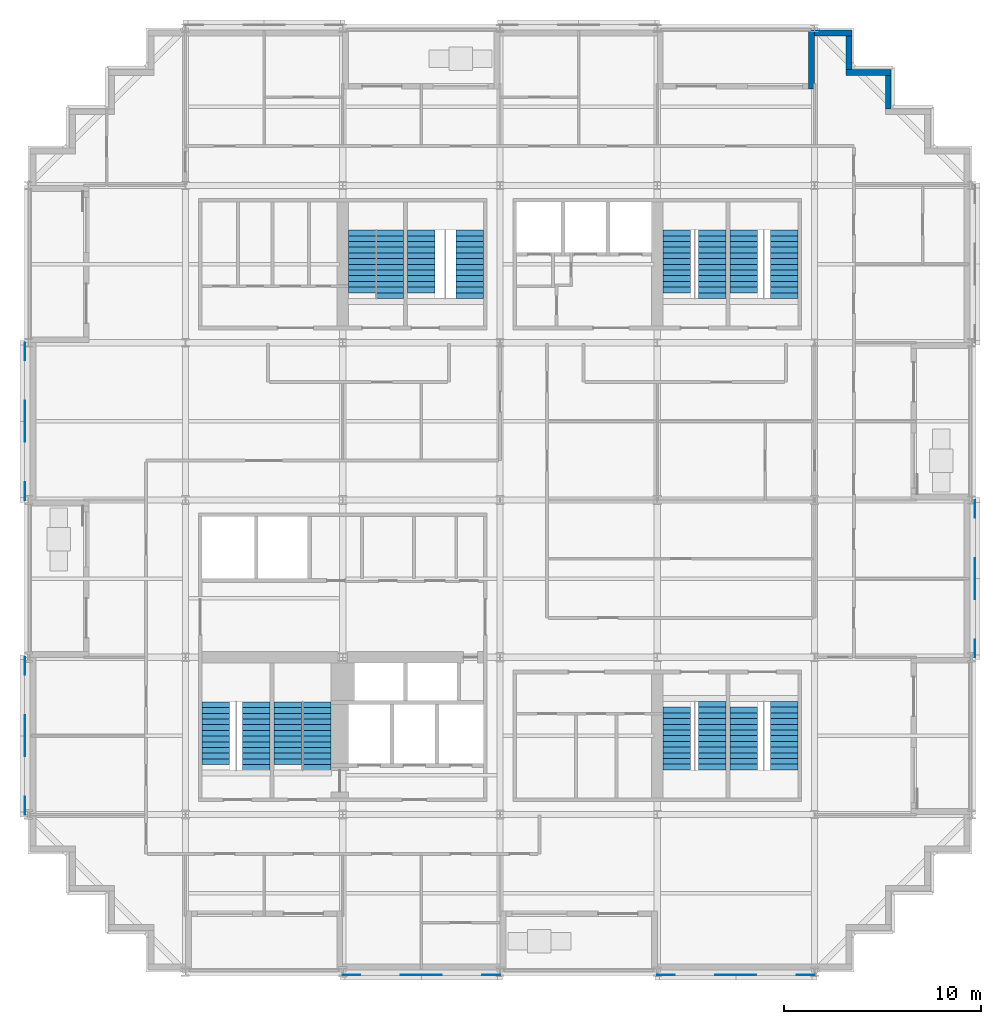
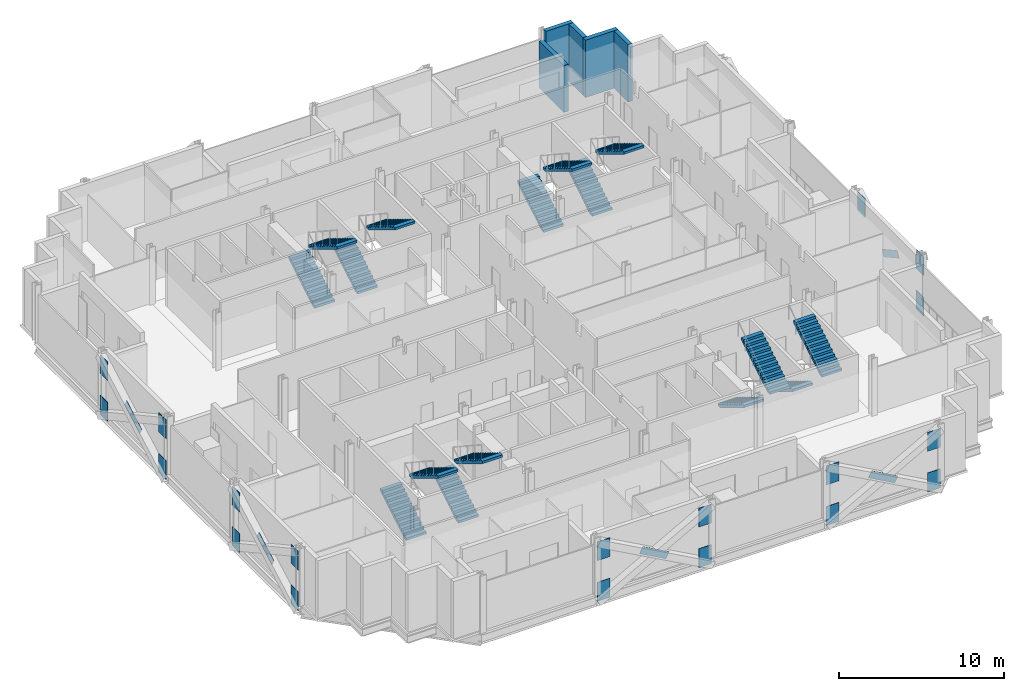
# One storey, part 11 of 15: 24 discrete accessories, 16 stair flights, 5 walls, 8 elements without a shape of their own.
"""IFC4 building model written with IfcOpenShell, lengths in metres."""

from ifc_helpers import new_model, si_unit, direction, frame, frame_2d, origin, origin_2d, place, context, subcontext, project, spatial, polyline, rectangle, outline, extrude, material, layer, layer_set, material_profile, profile_set, type_object, element, aggregate, save


model = new_model("IFC4")

# Units and contexts
model_context = context("Model", 3, precision=1e-05, world=origin(), true_north=direction((0.0, 1.0)))
body_context = subcontext(model_context, "Body", "Model", "MODEL_VIEW")
ifc_project = project(units=[si_unit("LENGTHUNIT", "METRE"), si_unit("AREAUNIT", "SQUARE_METRE"), si_unit("VOLUMEUNIT", "CUBIC_METRE"), si_unit("PLANEANGLEUNIT", "RADIAN"), si_unit("MASSUNIT", "GRAM", prefix="KILO")], contexts=[model_context])

# Site, building, storey
site_placement = place(None, origin())
site = spatial("IfcSite", under=ifc_project, at=site_placement, CompositionType="ELEMENT")
building_placement = place(site_placement, origin())
building = spatial("IfcBuilding", under=site, at=building_placement, Name="Immortelle Media Tower", CompositionType="ELEMENT")
storey_placement = place(building_placement, frame((0.0, 0.0, 61.199951171875)))
storey = spatial("IfcBuildingStorey", under=building, at=storey_placement, Name="L10", CompositionType="ELEMENT", Elevation=61.199951171875)

# Walls
ifc_material_1 = material(Name="Pale aluminium cladding panel", Category="aluminium")
ifc_layer_1 = layer(ifc_material_1, 0.030029296875)
ifc_material_2 = material(Name="Steel ASTM A653 SS Gr 50 stud frame with mineral wool", Category="steel")
ifc_layer_2 = layer(ifc_material_2, 0.257568359375)
ifc_material_3 = material(Name="Moisture-resistant gypsum board", Category="gypsum")
ifc_layer_3 = layer(ifc_material_3, 0.012451171875)
ifc_layer_set = layer_set([ifc_layer_1, ifc_layer_2, ifc_layer_3], Name="Steel ASTM A653 SS Gr 50 stud frame with mineral wool")
wall_type = type_object("IfcWallType", Name="Facade wall 300", PredefinedType="SOLIDWALL", material=ifc_layer_set)
wall_1_placement = place(storey_placement, frame((43.75, 43.89990234375, 0.0), z_axis=(0.0, 0.0, 1.0), x_axis=(0.0, 1.0, 0.0)))
element("IfcWall", 1, at=wall_1_placement, inside=storey, type_object=wall_type, Name="Facade wall L10 E18", PredefinedType="SOLIDWALL", context=body_context, shape_type="SweptSolid", body=[
    extrude(rectangle(XDim=1.7001953125, YDim=0.300048828125, at=frame_2d((0.85009765625, 0.0))), origin(), (0.0, 0.0, 1.0), 4.25),
])
wall_2_placement = place(storey_placement, frame((43.89990234375, 45.75, 0.0), z_axis=(0.0, 0.0, 1.0), x_axis=(-1.0, 0.0, 0.0)))
element("IfcWall", 2, at=wall_2_placement, inside=storey, type_object=wall_type, Name="Facade wall L10 N19", PredefinedType="SOLIDWALL", context=body_context, shape_type="SweptSolid", body=[
    extrude(rectangle(XDim=2.2998046875, YDim=0.300048828125, at=frame_2d((1.14990234375, 0.0))), origin(), (0.0, 0.0, 1.0), 4.25),
])
wall_3_placement = place(storey_placement, frame((41.75, 45.89990234375, 0.0), z_axis=(0.0, 0.0, 1.0), x_axis=(0.0, 1.0, 0.0)))
element("IfcWall", 3, at=wall_3_placement, inside=storey, type_object=wall_type, Name="Facade wall L10 E20", PredefinedType="SOLIDWALL", context=body_context, shape_type="SweptSolid", body=[
    extrude(rectangle(XDim=1.7001953125, YDim=0.300048828125, at=frame_2d((0.85009765625, 0.0))), origin(), (0.0, 0.0, 1.0), 4.25),
])
wall_4_placement = place(storey_placement, frame((41.89990234375, 47.75, 0.0), z_axis=(0.0, 0.0, 1.0), x_axis=(-1.0, 0.0, 0.0)))
element("IfcWall", 4, at=wall_4_placement, inside=storey, type_object=wall_type, Name="Facade wall L10 N21", PredefinedType="SOLIDWALL", context=body_context, shape_type="SweptSolid", body=[
    extrude(rectangle(XDim=1.89990234375, YDim=0.300048828125, at=frame_2d((0.949951171875, 0.0))), origin(), (0.0, 0.0, 1.0), 4.25),
])
wall_5_placement = place(storey_placement, frame((39.85009765625, 47.89990234375, 0.0), z_axis=(0.0, 0.0, 1.0), x_axis=(0.0, -1.0, 0.0)))
element("IfcWall", 5, at=wall_5_placement, inside=storey, type_object=wall_type, Name="Loggia cheek wall L10 N", PredefinedType="SOLIDWALL", context=body_context, shape_type="SweptSolid", body=[
    extrude(rectangle(XDim=3.0, YDim=0.300048828125, at=frame_2d((1.5, 0.0))), origin(), (0.0, 0.0, 1.0), 3.468994140625),
])

# Stair, stair flights
ifc_material_4 = material(Name="Steel ASTM A992 Gr 50", Category="steel")
stair_type = type_object("IfcStairType", Name="Stair with flights", PredefinedType="DOUBLE_RETURN_STAIR", material=ifc_material_4)
stair_1_placement = place(storey_placement, origin())
stair_1 = element("IfcStair", 6, at=stair_1_placement, inside=storey, type_object=stair_type, Name="Exit stair SW1", PredefinedType="DOUBLE_RETURN_STAIR")
stair_flight_type = type_object("IfcStairFlightType", Name="Stair flight 1400", PredefinedType="STRAIGHT", material=ifc_material_4)
stair_flight_1_placement = place(storey_placement, frame((9.550048828125, 10.5400390625, 0.0), z_axis=(0.0, 0.0, 1.0), x_axis=(0.0, 1.0, 0.0)))
stair_flight_1 = element("IfcStairFlight", 7, at=stair_flight_1_placement, type_object=stair_flight_type, Name="ST SW1 flight 1", NumberOfRisers=12, NumberOfTreads=11, PredefinedType="STRAIGHT", RiserHeight=0.176, TreadLength=0.29, context=body_context, shape_type="SweptSolid", body=[
    extrude(outline(polyline([(0.0, 0.0), (0.0, 0.176025390625), (0.2900390625, 0.176025390625), (0.2900390625, 0.35205078125), (0.580078125, 0.35205078125), (0.580078125, 0.528076171875), (0.8701171875, 0.528076171875), (0.8701171875, 0.7041015625), (1.159912109375, 0.7041015625), (1.159912109375, 0.8798828125), (1.449951171875, 0.8798828125), (1.449951171875, 1.055908203125), (1.739990234375, 1.055908203125), (1.739990234375, 1.23193359375), (2.030029296875, 1.23193359375), (2.030029296875, 1.407958984375), (2.320068359375, 1.407958984375), (2.320068359375, 1.583984375), (2.610107421875, 1.583984375), (2.610107421875, 1.760009765625), (2.89990234375, 1.760009765625), (2.89990234375, 1.93603515625), (3.18994140625, 1.93603515625), (3.18994140625, 2.112060546875), (3.18994140625, 1.7607421875), (0.288818359375, 0.0), (0.0, 0.0)])), frame((0.0, 0.699951171875, 0.0), z_axis=(0.0, -1.0, 0.0), x_axis=(1.0, 0.0, 0.0)), (0.0, 0.0, 1.0), 1.39990234375),
])
stair_flight_2_placement = place(storey_placement, frame((11.60009765625, 13.72998046875, 2.112060546875), z_axis=(0.0, 0.0, 1.0), x_axis=(0.0, -1.0, 0.0)))
stair_flight_2 = element("IfcStairFlight", 8, at=stair_flight_2_placement, type_object=stair_flight_type, Name="ST SW1 flight 2", NumberOfRisers=13, NumberOfTreads=12, PredefinedType="STRAIGHT", RiserHeight=0.176, TreadLength=0.29, context=body_context, shape_type="SweptSolid", body=[
    extrude(outline(polyline([(0.0, 0.0), (0.0, 0.176025390625), (0.2900390625, 0.176025390625), (0.2900390625, 0.35205078125), (0.580078125, 0.35205078125), (0.580078125, 0.528076171875), (0.8701171875, 0.528076171875), (0.8701171875, 0.7041015625), (1.159912109375, 0.7041015625), (1.159912109375, 0.8798828125), (1.449951171875, 0.8798828125), (1.449951171875, 1.055908203125), (1.739990234375, 1.055908203125), (1.739990234375, 1.23193359375), (2.030029296875, 1.23193359375), (2.030029296875, 1.407958984375), (2.320068359375, 1.407958984375), (2.320068359375, 1.583984375), (2.610107421875, 1.583984375), (2.610107421875, 1.760009765625), (2.89990234375, 1.760009765625), (2.89990234375, 1.93603515625), (3.18994140625, 1.93603515625), (3.18994140625, 2.112060546875), (3.47998046875, 2.112060546875), (3.47998046875, 2.2880859375), (3.47998046875, 1.936767578125), (0.288818359375, 0.0), (0.0, 0.0)])), frame((0.0, 0.699951171875, 0.0), z_axis=(0.0, -1.0, 0.0), x_axis=(1.0, 0.0, 0.0)), (0.0, 0.0, 1.0), 1.39990234375),
])
aggregate(stair_1, [stair_flight_1, stair_flight_2])

stair_2_placement = place(storey_placement, origin())
stair_2 = element("IfcStair", 9, at=stair_2_placement, inside=storey, type_object=stair_type, Name="Exit stair SW2", PredefinedType="DOUBLE_RETURN_STAIR")
stair_flight_3_placement = place(storey_placement, frame((13.199951171875, 10.5400390625, 0.0), z_axis=(0.0, 0.0, 1.0), x_axis=(0.0, 1.0, 0.0)))
stair_flight_3 = element("IfcStairFlight", 10, at=stair_flight_3_placement, type_object=stair_flight_type, Name="ST SW2 flight 1", NumberOfRisers=12, NumberOfTreads=11, PredefinedType="STRAIGHT", RiserHeight=0.176, TreadLength=0.29, context=body_context, shape_type="SweptSolid", body=[
    extrude(outline(polyline([(0.0, 0.0), (0.0, 0.176025390625), (0.2900390625, 0.176025390625), (0.2900390625, 0.35205078125), (0.580078125, 0.35205078125), (0.580078125, 0.528076171875), (0.8701171875, 0.528076171875), (0.8701171875, 0.7041015625), (1.159912109375, 0.7041015625), (1.159912109375, 0.8798828125), (1.449951171875, 0.8798828125), (1.449951171875, 1.055908203125), (1.739990234375, 1.055908203125), (1.739990234375, 1.23193359375), (2.030029296875, 1.23193359375), (2.030029296875, 1.407958984375), (2.320068359375, 1.407958984375), (2.320068359375, 1.583984375), (2.610107421875, 1.583984375), (2.610107421875, 1.760009765625), (2.89990234375, 1.760009765625), (2.89990234375, 1.93603515625), (3.18994140625, 1.93603515625), (3.18994140625, 2.112060546875), (3.18994140625, 1.7607421875), (0.288818359375, 0.0), (0.0, 0.0)])), frame((0.0, 0.699951171875, 0.0), z_axis=(0.0, -1.0, 0.0), x_axis=(1.0, 0.0, 0.0)), (0.0, 0.0, 1.0), 1.39990234375),
])
stair_flight_4_placement = place(storey_placement, frame((14.699951171875, 13.72998046875, 2.112060546875), z_axis=(0.0, 0.0, 1.0), x_axis=(0.0, -1.0, 0.0)))
stair_flight_4 = element("IfcStairFlight", 11, at=stair_flight_4_placement, type_object=stair_flight_type, Name="ST SW2 flight 2", NumberOfRisers=13, NumberOfTreads=12, PredefinedType="STRAIGHT", RiserHeight=0.176, TreadLength=0.29, context=body_context, shape_type="SweptSolid", body=[
    extrude(outline(polyline([(0.0, 0.0), (0.0, 0.176025390625), (0.2900390625, 0.176025390625), (0.2900390625, 0.35205078125), (0.580078125, 0.35205078125), (0.580078125, 0.528076171875), (0.8701171875, 0.528076171875), (0.8701171875, 0.7041015625), (1.159912109375, 0.7041015625), (1.159912109375, 0.8798828125), (1.449951171875, 0.8798828125), (1.449951171875, 1.055908203125), (1.739990234375, 1.055908203125), (1.739990234375, 1.23193359375), (2.030029296875, 1.23193359375), (2.030029296875, 1.407958984375), (2.320068359375, 1.407958984375), (2.320068359375, 1.583984375), (2.610107421875, 1.583984375), (2.610107421875, 1.760009765625), (2.89990234375, 1.760009765625), (2.89990234375, 1.93603515625), (3.18994140625, 1.93603515625), (3.18994140625, 2.112060546875), (3.47998046875, 2.112060546875), (3.47998046875, 2.2880859375), (3.47998046875, 1.936767578125), (0.288818359375, 0.0), (0.0, 0.0)])), frame((0.0, 0.699951171875, 0.0), z_axis=(0.0, -1.0, 0.0), x_axis=(1.0, 0.0, 0.0)), (0.0, 0.0, 1.0), 1.39990234375),
])
aggregate(stair_2, [stair_flight_3, stair_flight_4])

stair_3_placement = place(storey_placement, origin())
stair_3 = element("IfcStair", 12, at=stair_3_placement, inside=storey, type_object=stair_type, Name="Exit stair SE1", PredefinedType="DOUBLE_RETURN_STAIR")
stair_flight_5_placement = place(storey_placement, frame((33.0, 13.4599609375, 0.0), z_axis=(0.0, 0.0, 1.0), x_axis=(0.0, -1.0, 0.0)))
stair_flight_5 = element("IfcStairFlight", 13, at=stair_flight_5_placement, type_object=stair_flight_type, Name="ST SE1 flight 1", NumberOfRisers=12, NumberOfTreads=11, PredefinedType="STRAIGHT", RiserHeight=0.176, TreadLength=0.29, context=body_context, shape_type="SweptSolid", body=[
    extrude(outline(polyline([(0.0, 0.0), (0.0, 0.176025390625), (0.2900390625, 0.176025390625), (0.2900390625, 0.35205078125), (0.580078125, 0.35205078125), (0.580078125, 0.528076171875), (0.8701171875, 0.528076171875), (0.8701171875, 0.7041015625), (1.159912109375, 0.7041015625), (1.159912109375, 0.8798828125), (1.449951171875, 0.8798828125), (1.449951171875, 1.055908203125), (1.739990234375, 1.055908203125), (1.739990234375, 1.23193359375), (2.030029296875, 1.23193359375), (2.030029296875, 1.407958984375), (2.320068359375, 1.407958984375), (2.320068359375, 1.583984375), (2.610107421875, 1.583984375), (2.610107421875, 1.760009765625), (2.89990234375, 1.760009765625), (2.89990234375, 1.93603515625), (3.18994140625, 1.93603515625), (3.18994140625, 2.112060546875), (3.18994140625, 1.7607421875), (0.288818359375, 0.0), (0.0, 0.0)])), frame((0.0, 0.699951171875, 0.0), z_axis=(0.0, -1.0, 0.0), x_axis=(1.0, 0.0, 0.0)), (0.0, 0.0, 1.0), 1.39990234375),
])
stair_flight_6_placement = place(storey_placement, frame((34.800048828125, 10.27001953125, 2.112060546875), z_axis=(0.0, 0.0, 1.0), x_axis=(0.0, 1.0, 0.0)))
stair_flight_6 = element("IfcStairFlight", 14, at=stair_flight_6_placement, type_object=stair_flight_type, Name="ST SE1 flight 2", NumberOfRisers=13, NumberOfTreads=12, PredefinedType="STRAIGHT", RiserHeight=0.176, TreadLength=0.29, context=body_context, shape_type="SweptSolid", body=[
    extrude(outline(polyline([(0.0, 0.0), (0.0, 0.176025390625), (0.2900390625, 0.176025390625), (0.2900390625, 0.35205078125), (0.580078125, 0.35205078125), (0.580078125, 0.528076171875), (0.8701171875, 0.528076171875), (0.8701171875, 0.7041015625), (1.159912109375, 0.7041015625), (1.159912109375, 0.8798828125), (1.449951171875, 0.8798828125), (1.449951171875, 1.055908203125), (1.739990234375, 1.055908203125), (1.739990234375, 1.23193359375), (2.030029296875, 1.23193359375), (2.030029296875, 1.407958984375), (2.320068359375, 1.407958984375), (2.320068359375, 1.583984375), (2.610107421875, 1.583984375), (2.610107421875, 1.760009765625), (2.89990234375, 1.760009765625), (2.89990234375, 1.93603515625), (3.18994140625, 1.93603515625), (3.18994140625, 2.112060546875), (3.47998046875, 2.112060546875), (3.47998046875, 2.2880859375), (3.47998046875, 1.936767578125), (0.288818359375, 0.0), (0.0, 0.0)])), frame((0.0, 0.699951171875, 0.0), z_axis=(0.0, -1.0, 0.0), x_axis=(1.0, 0.0, 0.0)), (0.0, 0.0, 1.0), 1.39990234375),
])
aggregate(stair_3, [stair_flight_5, stair_flight_6])

stair_4_placement = place(storey_placement, origin())
stair_4 = element("IfcStair", 15, at=stair_4_placement, inside=storey, type_object=stair_type, Name="Exit stair SE2", PredefinedType="DOUBLE_RETURN_STAIR")
stair_flight_7_placement = place(storey_placement, frame((36.39990234375, 13.4599609375, 0.0), z_axis=(0.0, 0.0, 1.0), x_axis=(0.0, -1.0, 0.0)))
stair_flight_7 = element("IfcStairFlight", 16, at=stair_flight_7_placement, type_object=stair_flight_type, Name="ST SE2 flight 1", NumberOfRisers=12, NumberOfTreads=11, PredefinedType="STRAIGHT", RiserHeight=0.176, TreadLength=0.29, context=body_context, shape_type="SweptSolid", body=[
    extrude(outline(polyline([(0.0, 0.0), (0.0, 0.176025390625), (0.2900390625, 0.176025390625), (0.2900390625, 0.35205078125), (0.580078125, 0.35205078125), (0.580078125, 0.528076171875), (0.8701171875, 0.528076171875), (0.8701171875, 0.7041015625), (1.159912109375, 0.7041015625), (1.159912109375, 0.8798828125), (1.449951171875, 0.8798828125), (1.449951171875, 1.055908203125), (1.739990234375, 1.055908203125), (1.739990234375, 1.23193359375), (2.030029296875, 1.23193359375), (2.030029296875, 1.407958984375), (2.320068359375, 1.407958984375), (2.320068359375, 1.583984375), (2.610107421875, 1.583984375), (2.610107421875, 1.760009765625), (2.89990234375, 1.760009765625), (2.89990234375, 1.93603515625), (3.18994140625, 1.93603515625), (3.18994140625, 2.112060546875), (3.18994140625, 1.7607421875), (0.288818359375, 0.0), (0.0, 0.0)])), frame((0.0, 0.699951171875, 0.0), z_axis=(0.0, -1.0, 0.0), x_axis=(1.0, 0.0, 0.0)), (0.0, 0.0, 1.0), 1.39990234375),
])
stair_flight_8_placement = place(storey_placement, frame((38.449951171875, 10.27001953125, 2.112060546875), z_axis=(0.0, 0.0, 1.0), x_axis=(0.0, 1.0, 0.0)))
stair_flight_8 = element("IfcStairFlight", 17, at=stair_flight_8_placement, type_object=stair_flight_type, Name="ST SE2 flight 2", NumberOfRisers=13, NumberOfTreads=12, PredefinedType="STRAIGHT", RiserHeight=0.176, TreadLength=0.29, context=body_context, shape_type="SweptSolid", body=[
    extrude(outline(polyline([(0.0, 0.0), (0.0, 0.176025390625), (0.2900390625, 0.176025390625), (0.2900390625, 0.35205078125), (0.580078125, 0.35205078125), (0.580078125, 0.528076171875), (0.8701171875, 0.528076171875), (0.8701171875, 0.7041015625), (1.159912109375, 0.7041015625), (1.159912109375, 0.8798828125), (1.449951171875, 0.8798828125), (1.449951171875, 1.055908203125), (1.739990234375, 1.055908203125), (1.739990234375, 1.23193359375), (2.030029296875, 1.23193359375), (2.030029296875, 1.407958984375), (2.320068359375, 1.407958984375), (2.320068359375, 1.583984375), (2.610107421875, 1.583984375), (2.610107421875, 1.760009765625), (2.89990234375, 1.760009765625), (2.89990234375, 1.93603515625), (3.18994140625, 1.93603515625), (3.18994140625, 2.112060546875), (3.47998046875, 2.112060546875), (3.47998046875, 2.2880859375), (3.47998046875, 1.936767578125), (0.288818359375, 0.0), (0.0, 0.0)])), frame((0.0, 0.699951171875, 0.0), z_axis=(0.0, -1.0, 0.0), x_axis=(1.0, 0.0, 0.0)), (0.0, 0.0, 1.0), 1.39990234375),
])
aggregate(stair_4, [stair_flight_7, stair_flight_8])

stair_5_placement = place(storey_placement, origin())
stair_5 = element("IfcStair", 18, at=stair_5_placement, inside=storey, type_object=stair_type, Name="Exit stair NW1", PredefinedType="DOUBLE_RETURN_STAIR")
stair_flight_9_placement = place(storey_placement, frame((17.0, 34.5400390625, 0.0), z_axis=(0.0, 0.0, 1.0), x_axis=(0.0, 1.0, 0.0)))
stair_flight_9 = element("IfcStairFlight", 19, at=stair_flight_9_placement, type_object=stair_flight_type, Name="ST NW1 flight 1", NumberOfRisers=12, NumberOfTreads=11, PredefinedType="STRAIGHT", RiserHeight=0.176, TreadLength=0.29, context=body_context, shape_type="SweptSolid", body=[
    extrude(outline(polyline([(0.0, 0.0), (0.0, 0.176025390625), (0.2900390625, 0.176025390625), (0.2900390625, 0.35205078125), (0.580078125, 0.35205078125), (0.580078125, 0.528076171875), (0.8701171875, 0.528076171875), (0.8701171875, 0.7041015625), (1.159912109375, 0.7041015625), (1.159912109375, 0.8798828125), (1.449951171875, 0.8798828125), (1.449951171875, 1.055908203125), (1.739990234375, 1.055908203125), (1.739990234375, 1.23193359375), (2.030029296875, 1.23193359375), (2.030029296875, 1.407958984375), (2.320068359375, 1.407958984375), (2.320068359375, 1.583984375), (2.610107421875, 1.583984375), (2.610107421875, 1.760009765625), (2.89990234375, 1.760009765625), (2.89990234375, 1.93603515625), (3.18994140625, 1.93603515625), (3.18994140625, 2.112060546875), (3.18994140625, 1.7607421875), (0.288818359375, 0.0), (0.0, 0.0)])), frame((0.0, 0.699951171875, 0.0), z_axis=(0.0, -1.0, 0.0), x_axis=(1.0, 0.0, 0.0)), (0.0, 0.0, 1.0), 1.39990234375),
])
stair_flight_10_placement = place(storey_placement, frame((18.39990234375, 37.72998046875, 2.112060546875), z_axis=(0.0, 0.0, 1.0), x_axis=(0.0, -1.0, 0.0)))
stair_flight_10 = element("IfcStairFlight", 20, at=stair_flight_10_placement, type_object=stair_flight_type, Name="ST NW1 flight 2", NumberOfRisers=13, NumberOfTreads=12, PredefinedType="STRAIGHT", RiserHeight=0.176, TreadLength=0.29, context=body_context, shape_type="SweptSolid", body=[
    extrude(outline(polyline([(0.0, 0.0), (0.0, 0.176025390625), (0.2900390625, 0.176025390625), (0.2900390625, 0.35205078125), (0.580078125, 0.35205078125), (0.580078125, 0.528076171875), (0.8701171875, 0.528076171875), (0.8701171875, 0.7041015625), (1.159912109375, 0.7041015625), (1.159912109375, 0.8798828125), (1.449951171875, 0.8798828125), (1.449951171875, 1.055908203125), (1.739990234375, 1.055908203125), (1.739990234375, 1.23193359375), (2.030029296875, 1.23193359375), (2.030029296875, 1.407958984375), (2.320068359375, 1.407958984375), (2.320068359375, 1.583984375), (2.610107421875, 1.583984375), (2.610107421875, 1.760009765625), (2.89990234375, 1.760009765625), (2.89990234375, 1.93603515625), (3.18994140625, 1.93603515625), (3.18994140625, 2.112060546875), (3.47998046875, 2.112060546875), (3.47998046875, 2.2880859375), (3.47998046875, 1.936767578125), (0.288818359375, 0.0), (0.0, 0.0)])), frame((0.0, 0.699951171875, 0.0), z_axis=(0.0, -1.0, 0.0), x_axis=(1.0, 0.0, 0.0)), (0.0, 0.0, 1.0), 1.39990234375),
])
aggregate(stair_5, [stair_flight_9, stair_flight_10])

stair_6_placement = place(storey_placement, origin())
stair_6 = element("IfcStair", 21, at=stair_6_placement, inside=storey, type_object=stair_type, Name="Exit stair NW2", PredefinedType="DOUBLE_RETURN_STAIR")
stair_flight_11_placement = place(storey_placement, frame((20.0, 34.5400390625, 0.0), z_axis=(0.0, 0.0, 1.0), x_axis=(0.0, 1.0, 0.0)))
stair_flight_11 = element("IfcStairFlight", 22, at=stair_flight_11_placement, type_object=stair_flight_type, Name="ST NW2 flight 1", NumberOfRisers=12, NumberOfTreads=11, PredefinedType="STRAIGHT", RiserHeight=0.176, TreadLength=0.29, context=body_context, shape_type="SweptSolid", body=[
    extrude(outline(polyline([(0.0, 0.0), (0.0, 0.176025390625), (0.2900390625, 0.176025390625), (0.2900390625, 0.35205078125), (0.580078125, 0.35205078125), (0.580078125, 0.528076171875), (0.8701171875, 0.528076171875), (0.8701171875, 0.7041015625), (1.159912109375, 0.7041015625), (1.159912109375, 0.8798828125), (1.449951171875, 0.8798828125), (1.449951171875, 1.055908203125), (1.739990234375, 1.055908203125), (1.739990234375, 1.23193359375), (2.030029296875, 1.23193359375), (2.030029296875, 1.407958984375), (2.320068359375, 1.407958984375), (2.320068359375, 1.583984375), (2.610107421875, 1.583984375), (2.610107421875, 1.760009765625), (2.89990234375, 1.760009765625), (2.89990234375, 1.93603515625), (3.18994140625, 1.93603515625), (3.18994140625, 2.112060546875), (3.18994140625, 1.7607421875), (0.288818359375, 0.0), (0.0, 0.0)])), frame((0.0, 0.699951171875, 0.0), z_axis=(0.0, -1.0, 0.0), x_axis=(1.0, 0.0, 0.0)), (0.0, 0.0, 1.0), 1.39990234375),
])
stair_flight_12_placement = place(storey_placement, frame((22.449951171875, 37.72998046875, 2.112060546875), z_axis=(0.0, 0.0, 1.0), x_axis=(0.0, -1.0, 0.0)))
stair_flight_12 = element("IfcStairFlight", 23, at=stair_flight_12_placement, type_object=stair_flight_type, Name="ST NW2 flight 2", NumberOfRisers=13, NumberOfTreads=12, PredefinedType="STRAIGHT", RiserHeight=0.176, TreadLength=0.29, context=body_context, shape_type="SweptSolid", body=[
    extrude(outline(polyline([(0.0, 0.0), (0.0, 0.176025390625), (0.2900390625, 0.176025390625), (0.2900390625, 0.35205078125), (0.580078125, 0.35205078125), (0.580078125, 0.528076171875), (0.8701171875, 0.528076171875), (0.8701171875, 0.7041015625), (1.159912109375, 0.7041015625), (1.159912109375, 0.8798828125), (1.449951171875, 0.8798828125), (1.449951171875, 1.055908203125), (1.739990234375, 1.055908203125), (1.739990234375, 1.23193359375), (2.030029296875, 1.23193359375), (2.030029296875, 1.407958984375), (2.320068359375, 1.407958984375), (2.320068359375, 1.583984375), (2.610107421875, 1.583984375), (2.610107421875, 1.760009765625), (2.89990234375, 1.760009765625), (2.89990234375, 1.93603515625), (3.18994140625, 1.93603515625), (3.18994140625, 2.112060546875), (3.47998046875, 2.112060546875), (3.47998046875, 2.2880859375), (3.47998046875, 1.936767578125), (0.288818359375, 0.0), (0.0, 0.0)])), frame((0.0, 0.699951171875, 0.0), z_axis=(0.0, -1.0, 0.0), x_axis=(1.0, 0.0, 0.0)), (0.0, 0.0, 1.0), 1.39990234375),
])
aggregate(stair_6, [stair_flight_11, stair_flight_12])

stair_7_placement = place(storey_placement, origin())
stair_7 = element("IfcStair", 24, at=stair_7_placement, inside=storey, type_object=stair_type, Name="Exit stair NE1", PredefinedType="DOUBLE_RETURN_STAIR")
stair_flight_13_placement = place(storey_placement, frame((33.0, 34.5400390625, 0.0), z_axis=(0.0, 0.0, 1.0), x_axis=(0.0, 1.0, 0.0)))
stair_flight_13 = element("IfcStairFlight", 25, at=stair_flight_13_placement, type_object=stair_flight_type, Name="ST NE1 flight 1", NumberOfRisers=12, NumberOfTreads=11, PredefinedType="STRAIGHT", RiserHeight=0.176, TreadLength=0.29, context=body_context, shape_type="SweptSolid", body=[
    extrude(outline(polyline([(0.0, 0.0), (0.0, 0.176025390625), (0.2900390625, 0.176025390625), (0.2900390625, 0.35205078125), (0.580078125, 0.35205078125), (0.580078125, 0.528076171875), (0.8701171875, 0.528076171875), (0.8701171875, 0.7041015625), (1.159912109375, 0.7041015625), (1.159912109375, 0.8798828125), (1.449951171875, 0.8798828125), (1.449951171875, 1.055908203125), (1.739990234375, 1.055908203125), (1.739990234375, 1.23193359375), (2.030029296875, 1.23193359375), (2.030029296875, 1.407958984375), (2.320068359375, 1.407958984375), (2.320068359375, 1.583984375), (2.610107421875, 1.583984375), (2.610107421875, 1.760009765625), (2.89990234375, 1.760009765625), (2.89990234375, 1.93603515625), (3.18994140625, 1.93603515625), (3.18994140625, 2.112060546875), (3.18994140625, 1.7607421875), (0.288818359375, 0.0), (0.0, 0.0)])), frame((0.0, 0.699951171875, 0.0), z_axis=(0.0, -1.0, 0.0), x_axis=(1.0, 0.0, 0.0)), (0.0, 0.0, 1.0), 1.39990234375),
])
stair_flight_14_placement = place(storey_placement, frame((34.800048828125, 37.72998046875, 2.112060546875), z_axis=(0.0, 0.0, 1.0), x_axis=(0.0, -1.0, 0.0)))
stair_flight_14 = element("IfcStairFlight", 26, at=stair_flight_14_placement, type_object=stair_flight_type, Name="ST NE1 flight 2", NumberOfRisers=13, NumberOfTreads=12, PredefinedType="STRAIGHT", RiserHeight=0.176, TreadLength=0.29, context=body_context, shape_type="SweptSolid", body=[
    extrude(outline(polyline([(0.0, 0.0), (0.0, 0.176025390625), (0.2900390625, 0.176025390625), (0.2900390625, 0.35205078125), (0.580078125, 0.35205078125), (0.580078125, 0.528076171875), (0.8701171875, 0.528076171875), (0.8701171875, 0.7041015625), (1.159912109375, 0.7041015625), (1.159912109375, 0.8798828125), (1.449951171875, 0.8798828125), (1.449951171875, 1.055908203125), (1.739990234375, 1.055908203125), (1.739990234375, 1.23193359375), (2.030029296875, 1.23193359375), (2.030029296875, 1.407958984375), (2.320068359375, 1.407958984375), (2.320068359375, 1.583984375), (2.610107421875, 1.583984375), (2.610107421875, 1.760009765625), (2.89990234375, 1.760009765625), (2.89990234375, 1.93603515625), (3.18994140625, 1.93603515625), (3.18994140625, 2.112060546875), (3.47998046875, 2.112060546875), (3.47998046875, 2.2880859375), (3.47998046875, 1.936767578125), (0.288818359375, 0.0), (0.0, 0.0)])), frame((0.0, 0.699951171875, 0.0), z_axis=(0.0, -1.0, 0.0), x_axis=(1.0, 0.0, 0.0)), (0.0, 0.0, 1.0), 1.39990234375),
])
aggregate(stair_7, [stair_flight_13, stair_flight_14])

stair_8_placement = place(storey_placement, origin())
stair_8 = element("IfcStair", 27, at=stair_8_placement, inside=storey, type_object=stair_type, Name="Exit stair NE2", PredefinedType="DOUBLE_RETURN_STAIR")
stair_flight_15_placement = place(storey_placement, frame((36.39990234375, 34.5400390625, 0.0), z_axis=(0.0, 0.0, 1.0), x_axis=(0.0, 1.0, 0.0)))
stair_flight_15 = element("IfcStairFlight", 28, at=stair_flight_15_placement, type_object=stair_flight_type, Name="ST NE2 flight 1", NumberOfRisers=12, NumberOfTreads=11, PredefinedType="STRAIGHT", RiserHeight=0.176, TreadLength=0.29, context=body_context, shape_type="SweptSolid", body=[
    extrude(outline(polyline([(0.0, 0.0), (0.0, 0.176025390625), (0.2900390625, 0.176025390625), (0.2900390625, 0.35205078125), (0.580078125, 0.35205078125), (0.580078125, 0.528076171875), (0.8701171875, 0.528076171875), (0.8701171875, 0.7041015625), (1.159912109375, 0.7041015625), (1.159912109375, 0.8798828125), (1.449951171875, 0.8798828125), (1.449951171875, 1.055908203125), (1.739990234375, 1.055908203125), (1.739990234375, 1.23193359375), (2.030029296875, 1.23193359375), (2.030029296875, 1.407958984375), (2.320068359375, 1.407958984375), (2.320068359375, 1.583984375), (2.610107421875, 1.583984375), (2.610107421875, 1.760009765625), (2.89990234375, 1.760009765625), (2.89990234375, 1.93603515625), (3.18994140625, 1.93603515625), (3.18994140625, 2.112060546875), (3.18994140625, 1.7607421875), (0.288818359375, 0.0), (0.0, 0.0)])), frame((0.0, 0.699951171875, 0.0), z_axis=(0.0, -1.0, 0.0), x_axis=(1.0, 0.0, 0.0)), (0.0, 0.0, 1.0), 1.39990234375),
])
stair_flight_16_placement = place(storey_placement, frame((38.449951171875, 37.72998046875, 2.112060546875), z_axis=(0.0, 0.0, 1.0), x_axis=(0.0, -1.0, 0.0)))
stair_flight_16 = element("IfcStairFlight", 29, at=stair_flight_16_placement, type_object=stair_flight_type, Name="ST NE2 flight 2", NumberOfRisers=13, NumberOfTreads=12, PredefinedType="STRAIGHT", RiserHeight=0.176, TreadLength=0.29, context=body_context, shape_type="SweptSolid", body=[
    extrude(outline(polyline([(0.0, 0.0), (0.0, 0.176025390625), (0.2900390625, 0.176025390625), (0.2900390625, 0.35205078125), (0.580078125, 0.35205078125), (0.580078125, 0.528076171875), (0.8701171875, 0.528076171875), (0.8701171875, 0.7041015625), (1.159912109375, 0.7041015625), (1.159912109375, 0.8798828125), (1.449951171875, 0.8798828125), (1.449951171875, 1.055908203125), (1.739990234375, 1.055908203125), (1.739990234375, 1.23193359375), (2.030029296875, 1.23193359375), (2.030029296875, 1.407958984375), (2.320068359375, 1.407958984375), (2.320068359375, 1.583984375), (2.610107421875, 1.583984375), (2.610107421875, 1.760009765625), (2.89990234375, 1.760009765625), (2.89990234375, 1.93603515625), (3.18994140625, 1.93603515625), (3.18994140625, 2.112060546875), (3.47998046875, 2.112060546875), (3.47998046875, 2.2880859375), (3.47998046875, 1.936767578125), (0.288818359375, 0.0), (0.0, 0.0)])), frame((0.0, 0.699951171875, 0.0), z_axis=(0.0, -1.0, 0.0), x_axis=(1.0, 0.0, 0.0)), (0.0, 0.0, 1.0), 1.39990234375),
])
aggregate(stair_8, [stair_flight_15, stair_flight_16])

# Discrete accessories
ifc_material_5 = material(Name="Steel ASTM A572 Gr 50", Category="steel")
ifc_material_profile_1 = material_profile(ifc_material_5, rectangle(XDim=0.02392578125, YDim=0.508056640625, at=origin_2d()), Name="PL 24 x 508")
ifc_profile_set_1 = profile_set([ifc_material_profile_1], Name="Steel ASTM A572 Gr 50")
discrete_accessory_type_1 = type_object("IfcDiscreteAccessoryType", Name="Crossing plate XP-BR2 2100 x 508 x 24", PredefinedType="USERDEFINED", material=ifc_profile_set_1)
for number, where, z_axis, x_axis, name in (
    (30, (-0.1640625, 28.919921875, 2.208984375), (0.0, -0.876107886529, -0.48211510157), (1.0, 0.0, 0.0), "Crossing plate XP-BR2 of Brace 1/D-E A and Brace 1/D-E B"),
    (31, (-0.1640625, 12.919921875, 2.208984375), (0.0, -0.876107886529, -0.48211510157), (1.0, 0.0, 0.0), "Crossing plate XP-BR2 of Brace 1/B-C A and Brace 1/B-C B"),
    (32, (48.1640625, 19.080078125, 2.208984375), (0.0, 0.876107886529, -0.48211510157), (-1.0, 0.0, 0.0), "Crossing plate XP-BR2 of Brace 7/C-D A and Brace 7/C-D B"),
    (33, (19.080078125, -0.1640625, 2.208984375), (0.876107886529, 0.0, -0.48211510157), (0.0, 1.0, 0.0), "Crossing plate XP-BR2 of Brace A/3-4 A and Brace A/3-4 B"),
    (34, (35.080078125, -0.1640625, 2.208984375), (0.876107886529, 0.0, -0.48211510157), (0.0, 1.0, 0.0), "Crossing plate XP-BR2 of Brace A/5-6 A and Brace A/5-6 B"),
):
    element("IfcDiscreteAccessory", number, at=place(storey_placement, frame(where, z_axis=z_axis, x_axis=x_axis)), inside=storey, type_object=discrete_accessory_type_1, Name=name, ObjectType="CROSSING PLATE", PredefinedType="USERDEFINED", context=body_context, shape_type="SweptSolid", body=[
        extrude(rectangle(XDim=0.02392578125, YDim=0.508056640625, at=origin_2d()), origin(), (0.0, 0.0, 1.0), 2.10009765625),
    ])
ifc_material_profile_2 = material_profile(ifc_material_5, rectangle(XDim=0.031982421875, YDim=1.39990234375, at=origin_2d()), Name="PL 32 x 1400")
ifc_profile_set_2 = profile_set([ifc_material_profile_2], Name="Steel ASTM A572 Gr 50")
discrete_accessory_type_2 = type_object("IfcDiscreteAccessoryType", Name="Gusset plate GP1 900 x 1400 x 32", PredefinedType="USERDEFINED", material=ifc_profile_set_2)
for number, where, z_axis, x_axis, name in (
    (35, (-0.1640625, 32.0, 0.2021484375), (0.0, -1.0, 0.0), (1.0, 0.0, 0.0), "Gusset plate GP1, lower end of Brace 1/D-E A"),
    (36, (-0.1640625, 24.0, 3.20361328125), (0.0, 1.0, 0.0), (-1.0, 0.0, 0.0), "Gusset plate GP1, upper end of Brace 1/D-E A"),
    (37, (-0.1640625, 24.0, 0.2021484375), (0.0, 1.0, 0.0), (-1.0, 0.0, 0.0), "Gusset plate GP1, lower end of Brace 1/D-E B"),
    (38, (-0.1640625, 32.0, 3.20361328125), (0.0, -1.0, 0.0), (1.0, 0.0, 0.0), "Gusset plate GP1, upper end of Brace 1/D-E B"),
    (39, (-0.1640625, 16.0, 0.2021484375), (0.0, -1.0, 0.0), (1.0, 0.0, 0.0), "Gusset plate GP1, lower end of Brace 1/B-C A"),
    (40, (-0.1640625, 8.0, 3.20361328125), (0.0, 1.0, 0.0), (-1.0, 0.0, 0.0), "Gusset plate GP1, upper end of Brace 1/B-C A"),
    (41, (-0.1640625, 8.0, 0.2021484375), (0.0, 1.0, 0.0), (-1.0, 0.0, 0.0), "Gusset plate GP1, lower end of Brace 1/B-C B"),
    (42, (-0.1640625, 16.0, 3.20361328125), (0.0, -1.0, 0.0), (1.0, 0.0, 0.0), "Gusset plate GP1, upper end of Brace 1/B-C B"),
    (43, (16.0, -0.1640625, 0.2021484375), (1.0, 0.0, 0.0), (0.0, 1.0, 0.0), "Gusset plate GP1, lower end of Brace A/3-4 A"),
    (44, (24.0, -0.1640625, 3.20361328125), (-1.0, 0.0, 0.0), (0.0, -1.0, 0.0), "Gusset plate GP1, upper end of Brace A/3-4 A"),
    (45, (24.0, -0.1640625, 0.2021484375), (-1.0, 0.0, 0.0), (0.0, -1.0, 0.0), "Gusset plate GP1, lower end of Brace A/3-4 B"),
    (46, (16.0, -0.1640625, 3.20361328125), (1.0, 0.0, 0.0), (0.0, 1.0, 0.0), "Gusset plate GP1, upper end of Brace A/3-4 B"),
    (47, (32.0, -0.1640625, 0.2021484375), (1.0, 0.0, 0.0), (0.0, 1.0, 0.0), "Gusset plate GP1, lower end of Brace A/5-6 A"),
    (48, (40.0, -0.1640625, 3.20361328125), (-1.0, 0.0, 0.0), (0.0, -1.0, 0.0), "Gusset plate GP1, upper end of Brace A/5-6 A"),
    (49, (40.0, -0.1640625, 0.2021484375), (-1.0, 0.0, 0.0), (0.0, -1.0, 0.0), "Gusset plate GP1, lower end of Brace A/5-6 B"),
    (50, (32.0, -0.1640625, 3.20361328125), (1.0, 0.0, 0.0), (0.0, 1.0, 0.0), "Gusset plate GP1, upper end of Brace A/5-6 B"),
    (51, (48.1640625, 16.0, 0.2021484375), (0.0, 1.0, 0.0), (-1.0, 0.0, 0.0), "Gusset plate GP1, lower end of Brace 7/C-D A"),
    (52, (48.1640625, 24.0, 3.20361328125), (0.0, -1.0, 0.0), (1.0, 0.0, 0.0), "Gusset plate GP1, upper end of Brace 7/C-D A"),
    (53, (48.1640625, 16.0, 3.20361328125), (0.0, 1.0, 0.0), (-1.0, 0.0, 0.0), "Gusset plate GP1, upper end of Brace 7/C-D B"),
):
    element("IfcDiscreteAccessory", number, at=place(storey_placement, frame(where, z_axis=z_axis, x_axis=x_axis)), inside=storey, type_object=discrete_accessory_type_2, Name=name, ObjectType="GUSSET PLATE", PredefinedType="USERDEFINED", context=body_context, shape_type="SweptSolid", body=[
        extrude(rectangle(XDim=0.031982421875, YDim=1.39990234375, at=origin_2d()), origin(), (0.0, 0.0, 1.0), 0.89990234375),
    ])

save(model, "model.ifc")
